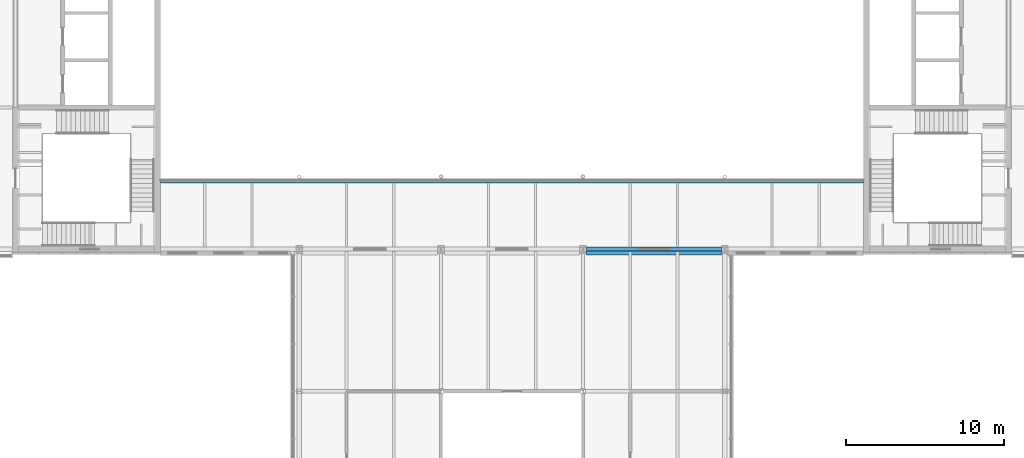
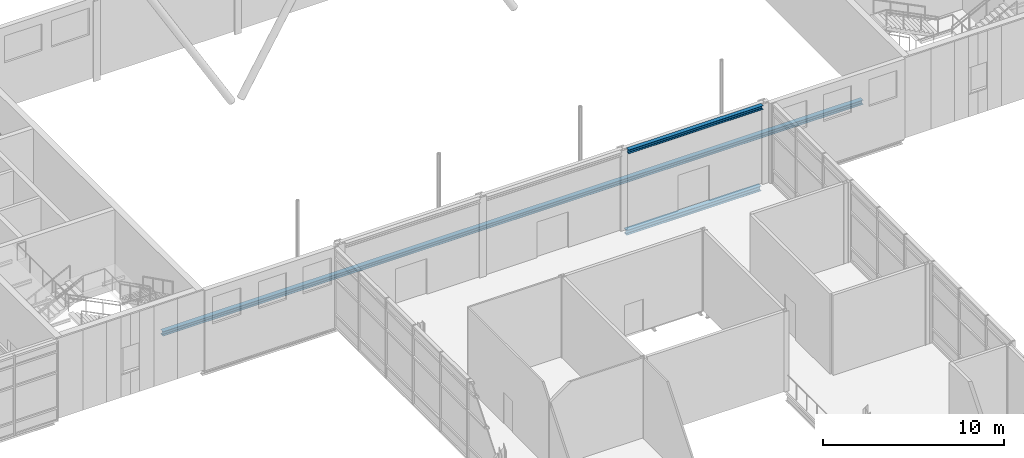
# One storey, part 21 of 46: 3 beams.
"""IFC4 building model written with IfcOpenShell, lengths in metres."""

from ifc_helpers import new_model, si_unit, direction, frame, origin, origin_2d, place, context, subcontext, project, spatial, i_section, extrude, material, material_profile, profile_set, type_object, element, save


model = new_model("IFC4")

# Units and contexts
model_context = context("Model", 3, precision=1e-05, world=origin(), true_north=direction((0.0, 1.0)))
body_context = subcontext(model_context, "Body", "Model", "MODEL_VIEW")
ifc_project = project(units=[si_unit("LENGTHUNIT", "METRE"), si_unit("AREAUNIT", "SQUARE_METRE"), si_unit("VOLUMEUNIT", "CUBIC_METRE"), si_unit("PLANEANGLEUNIT", "RADIAN"), si_unit("MASSUNIT", "GRAM", prefix="KILO")], contexts=[model_context])

# Site, building, storey
site_placement = place(None, origin())
site = spatial("IfcSite", under=ifc_project, at=site_placement, CompositionType="ELEMENT")
building_placement = place(site_placement, origin())
building = spatial("IfcBuilding", under=site, at=building_placement, Name="Azimuth Sports and Learning Centre", CompositionType="ELEMENT")
storey_placement = place(building_placement, frame((0.0, 0.0, 21.60009765625)))
storey = spatial("IfcBuildingStorey", under=building, at=storey_placement, Name="L04", CompositionType="ELEMENT", Elevation=21.60009765625)

# Beams
ifc_material_1 = material(Name="Steel S355", Category="steel")
ifc_material_profile_1 = material_profile(ifc_material_1, i_section(OverallWidth=0.300048828125, OverallDepth=0.330078125, WebThickness=0.009521484375, FlangeThickness=0.0166015625, FilletRadius=0.027099609375, at=origin_2d()), Name="HEA 340")
ifc_profile_set_1 = profile_set([ifc_material_profile_1], Name="Steel S355")
beam_type_1 = type_object("IfcBeamType", Name="Edge beam HEA 340", PredefinedType="SPANDREL", material=ifc_profile_set_1)
beam_1_placement = place(storey_placement, frame((90.216064453125, 90.0, -0.315185546875), z_axis=(1.0, 0.0, 0.0), x_axis=(0.0, 1.0, 0.0)))
element("IfcBeam", 1, at=beam_1_placement, inside=storey, type_object=beam_type_1, Name="Edge beam L04 ST 20", PredefinedType="SPANDREL", context=body_context, shape_type="SweptSolid", body=[
    extrude(i_section(OverallWidth=0.300048828125, OverallDepth=0.330078125, WebThickness=0.009521484375, FlangeThickness=0.0166015625, FilletRadius=0.027099609375, at=origin_2d()), origin(), (0.0, 0.0, 1.0), 8.56787109375),
])
ifc_material_2 = material(Name="Steel S355", Category="steel")
ifc_material_profile_2 = material_profile(ifc_material_2, i_section(OverallWidth=0.260009765625, OverallDepth=0.260009765625, WebThickness=0.010009765625, FlangeThickness=0.017578125, FilletRadius=0.02392578125, at=origin_2d()), Name="HEB 260")
ifc_profile_set_2 = profile_set([ifc_material_profile_2], Name="Steel S355")
beam_type_2 = type_object("IfcBeamType", Name="Edge beam HEB 260", PredefinedType="SPANDREL", material=ifc_profile_set_2)
beam_2_placement = place(storey_placement, frame((90.216064453125, 89.760009765625, 5.27001953125), z_axis=(1.0, 0.0, 0.0), x_axis=(0.0, 1.0, 0.0)))
element("IfcBeam", 2, at=beam_2_placement, inside=storey, type_object=beam_type_2, Name="Hall wall ledger beam 3", PredefinedType="SPANDREL", context=body_context, shape_type="SweptSolid", body=[
    extrude(i_section(OverallWidth=0.260009765625, OverallDepth=0.260009765625, WebThickness=0.010009765625, FlangeThickness=0.017578125, FilletRadius=0.02392578125, at=origin_2d()), origin(), (0.0, 0.0, 1.0), 8.56787109375),
])
ifc_material_3 = material(Name="Steel S355", Category="steel")
ifc_material_profile_3 = material_profile(ifc_material_3, i_section(OverallWidth=0.300048828125, OverallDepth=0.300048828125, WebThickness=0.010986328125, FlangeThickness=0.01904296875, FilletRadius=0.027099609375, at=origin_2d()), Name="HEB 300")
ifc_profile_set_3 = profile_set([ifc_material_profile_3], Name="Steel S355")
beam_type_3 = type_object("IfcBeamType", Name="Edge beam HEB 300", PredefinedType="SPANDREL", material=ifc_profile_set_3)
beam_3_placement = place(storey_placement, frame((63.199951171875, 94.35009765625, -0.300048828125), z_axis=(1.0, 0.0, 0.0), x_axis=(0.0, 1.0, 0.0)))
element("IfcBeam", 3, at=beam_3_placement, inside=storey, type_object=beam_type_3, Name="Edge beam L04 HG 3", PredefinedType="SPANDREL", context=body_context, shape_type="SweptSolid", body=[
    extrude(i_section(OverallWidth=0.300048828125, OverallDepth=0.300048828125, WebThickness=0.010986328125, FlangeThickness=0.01904296875, FilletRadius=0.027099609375, at=origin_2d()), origin(), (0.0, 0.0, 1.0), 44.60009765625),
])

save(model, "model.ifc")
